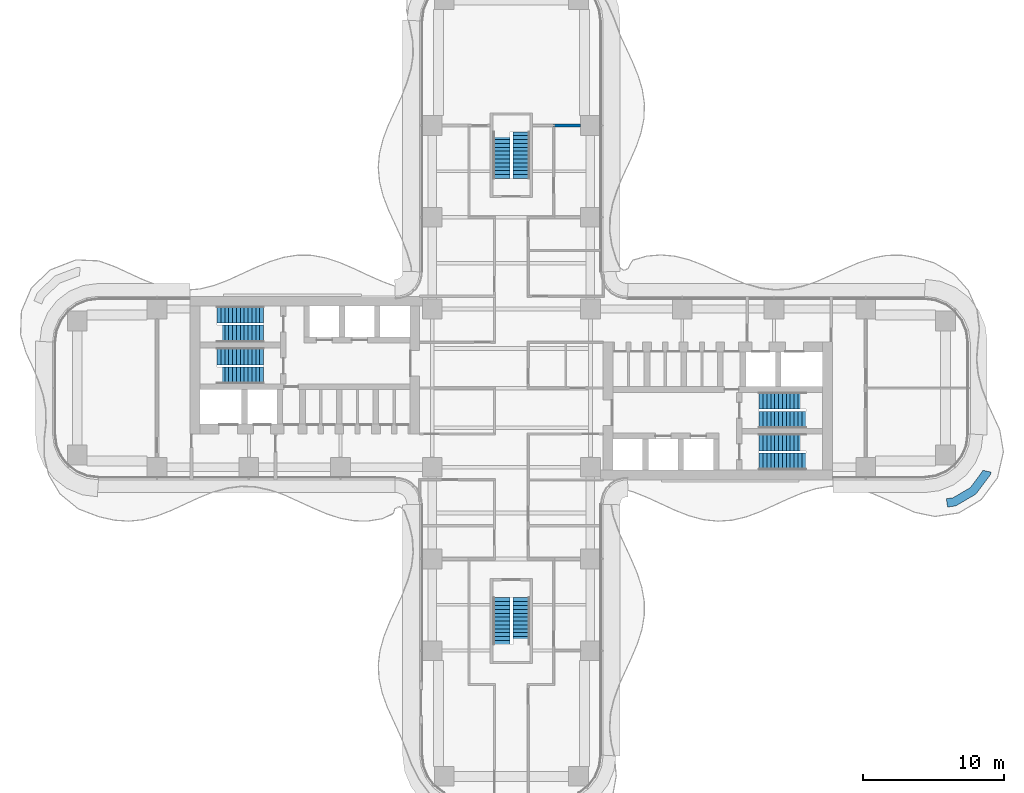
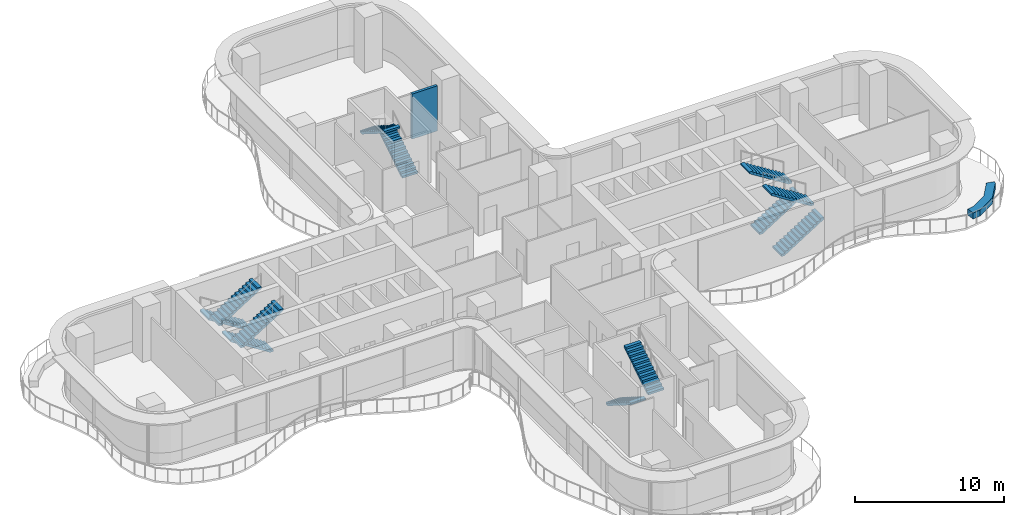
# One storey, part 20 of 22: 12 stair flights, 2 walls, 6 elements without a shape of their own.
"""IFC4 building model written with IfcOpenShell, lengths in metres."""

from ifc_helpers import new_model, si_unit, direction, frame, frame_2d, origin, place, context, subcontext, project, spatial, polyline, rectangle, outline, extrude, source, transform, mapped, material, layer, layer_set, type_object, element, aggregate, save


model = new_model("IFC4")

# Units and contexts
model_context = context("Model", 3, precision=1e-05, world=origin(), true_north=direction((0.0, 1.0)))
body_context = subcontext(model_context, "Body", "Model", "MODEL_VIEW")
ifc_project = project(units=[si_unit("LENGTHUNIT", "METRE"), si_unit("AREAUNIT", "SQUARE_METRE"), si_unit("VOLUMEUNIT", "CUBIC_METRE"), si_unit("PLANEANGLEUNIT", "RADIAN"), si_unit("MASSUNIT", "GRAM", prefix="KILO")], contexts=[model_context])

# Site, building, storey
site_placement = place(None, origin())
site = spatial("IfcSite", under=ifc_project, at=site_placement, CompositionType="ELEMENT")
building_placement = place(site_placement, origin())
building = spatial("IfcBuilding", under=site, at=building_placement, Name="Trellis Farm Tower", CompositionType="ELEMENT")
storey_placement = place(building_placement, frame((0.0, 0.0, 56.5)))
storey = spatial("IfcBuildingStorey", under=building, at=storey_placement, Name="L11", CompositionType="ELEMENT", Elevation=56.5)

# Walls
ifc_material_1 = material(Name="Sandstone faced masonry planter", Category="masonry")
ifc_layer_1 = layer(ifc_material_1, 0.60009765625)
ifc_layer_set_1 = layer_set([ifc_layer_1], Name="PLANTER BED 600")
wall_type_1 = type_object("IfcWallType", Name="PLANTER BED 600", PredefinedType="USERDEFINED", material=ifc_layer_set_1)
placement = place(storey_placement, origin())
element("IfcWall", 1, at=placement, inside=storey, type_object=wall_type_1, Name="PLANTER bed", ObjectType="PLANTER", PredefinedType="USERDEFINED", context=body_context, shape_type="SweptSolid", body=[
    extrude(outline(polyline([(32.906982421875, -7.50830078125), (31.47607421875, -8.34765625), (30.889892578125, -8.42919921875), (30.80712890625, -7.8349609375), (31.275390625, -7.769775390625), (32.4990234375, -7.05224609375), (33.37646484375, -5.87841796875), (33.390380859375, -5.8193359375), (33.974609375, -5.9560546875), (33.93212890625, -6.13720703125), (32.906982421875, -7.50830078125)])), origin(), (0.0, 0.0, 1.0), 0.5),
])
ifc_material_2 = material(Name="Lightweight blockwork, plastered", Category="masonry")
ifc_layer_2 = layer(ifc_material_2, 0.199951171875)
ifc_layer_set_2 = layer_set([ifc_layer_2], Name="BLOCK WALL 200 EI 120")
wall_type_2 = type_object("IfcWallType", Name="BLOCK WALL 200 EI 120", PredefinedType="PARTITIONING", material=ifc_layer_set_2)
shared_shape_1 = source(origin(), body_context, "Body", "SweptSolid", [
    extrude(rectangle(XDim=1.96240234375, YDim=0.199951171875, at=frame_2d((0.981201171875, 0.0))), origin(), (0.0, 0.0, 1.0), 3.69677734375),
])
wall_2_placement = place(storey_placement, frame((2.9375, 18.60009765625, 0.0), z_axis=(0.0, 0.0, 1.0), x_axis=(1.0, 0.0, 0.0)))
element("IfcWall", 2, at=wall_2_placement, inside=storey, type_object=wall_type_2, Name="Partition PW3", PredefinedType="PARTITIONING", context=body_context, shape_type="MappedRepresentation", body=[
    mapped(shared_shape_1, transform((0.0, 0.0, 0.0))),
])

# Stair, stair flights
ifc_material_3 = material(Name="Concrete C50/60", Category="concrete")
stair_type = type_object("IfcStairType", Name="CORE EXIT STAIR 26 RISERS 173 MM", PredefinedType="HALF_TURN_STAIR", material=ifc_material_3)
stair_1 = element("IfcStair", 3, at=placement, inside=storey, type_object=stair_type, Name="Exit stair N", PredefinedType="HALF_TURN_STAIR")
stair_flight_type = type_object("IfcStairFlightType", Name="STAIR FLIGHT 13 RISERS 173 MM", PredefinedType="STRAIGHT", material=ifc_material_3)
shared_shape_2 = source(origin(), body_context, "Body", "SweptSolid", [
    extrude(outline(polyline([(0.0, 0.0), (0.0, 0.173095703125), (0.27490234375, 0.173095703125), (0.27490234375, 0.34619140625), (0.550048828125, 0.34619140625), (0.550048828125, 0.519287109375), (0.824951171875, 0.519287109375), (0.824951171875, 0.6923828125), (1.10009765625, 0.6923828125), (1.10009765625, 0.865478515625), (1.375, 0.865478515625), (1.375, 1.03857421875), (1.64990234375, 1.03857421875), (1.64990234375, 1.21142578125), (1.925048828125, 1.21142578125), (1.925048828125, 1.384521484375), (2.199951171875, 1.384521484375), (2.199951171875, 1.5576171875), (2.47509765625, 1.5576171875), (2.47509765625, 1.730712890625), (2.75, 1.730712890625), (2.75, 1.90380859375), (3.02490234375, 1.90380859375), (3.02490234375, 2.076904296875), (3.300048828125, 2.076904296875), (3.300048828125, 2.25), (3.300048828125, 1.92333984375), (0.243896484375, 0.0), (0.0, 0.0)])), frame((0.0, 0.60009765625, 0.0), z_axis=(0.0, -1.0, 0.0), x_axis=(1.0, 0.0, 0.0)), (0.0, 0.0, 1.0), 1.199951171875),
])
stair_flight_1_placement = place(storey_placement, frame((0.699951171875, 14.85009765625, 0.0), z_axis=(0.0, 0.0, 1.0), x_axis=(0.0, 1.0, 0.0)))
stair_flight_1 = element("IfcStairFlight", 4, at=stair_flight_1_placement, type_object=stair_flight_type, Name="STN flight 1", NumberOfRisers=13, NumberOfTreads=12, PredefinedType="STRAIGHT", RiserHeight=0.173076923, TreadLength=0.275, context=body_context, shape_type="MappedRepresentation", body=[
    mapped(shared_shape_2, transform((0.0, 0.0, 0.0))),
])
stair_flight_2_placement = place(storey_placement, frame((-0.699951171875, 18.14990234375, 2.25), z_axis=(0.0, 0.0, 1.0), x_axis=(0.0, -1.0, 0.0)))
stair_flight_2 = element("IfcStairFlight", 5, at=stair_flight_2_placement, type_object=stair_flight_type, Name="STN flight 2", NumberOfRisers=13, NumberOfTreads=12, PredefinedType="STRAIGHT", RiserHeight=0.173076923, TreadLength=0.275, context=body_context, shape_type="MappedRepresentation", body=[
    mapped(shared_shape_2, transform((0.0, 0.0, 0.0))),
])
aggregate(stair_1, [stair_flight_1, stair_flight_2])

stair_2 = element("IfcStair", 6, at=placement, inside=storey, type_object=stair_type, Name="Exit stair S", PredefinedType="HALF_TURN_STAIR")
stair_flight_3_placement = place(storey_placement, frame((-0.699951171875, -14.85009765625, 0.0), z_axis=(0.0, 0.0, 1.0), x_axis=(0.0, -1.0, 0.0)))
stair_flight_3 = element("IfcStairFlight", 7, at=stair_flight_3_placement, type_object=stair_flight_type, Name="STS flight 1", NumberOfRisers=13, NumberOfTreads=12, PredefinedType="STRAIGHT", RiserHeight=0.173076923, TreadLength=0.275, context=body_context, shape_type="MappedRepresentation", body=[
    mapped(shared_shape_2, transform((0.0, 0.0, 0.0))),
])
stair_flight_4_placement = place(storey_placement, frame((0.699951171875, -18.14990234375, 2.25), z_axis=(0.0, 0.0, 1.0), x_axis=(0.0, 1.0, 0.0)))
stair_flight_4 = element("IfcStairFlight", 8, at=stair_flight_4_placement, type_object=stair_flight_type, Name="STS flight 2", NumberOfRisers=13, NumberOfTreads=12, PredefinedType="STRAIGHT", RiserHeight=0.173076923, TreadLength=0.275, context=body_context, shape_type="MappedRepresentation", body=[
    mapped(shared_shape_2, transform((0.0, 0.0, 0.0))),
])
aggregate(stair_2, [stair_flight_3, stair_flight_4])

stair_3 = element("IfcStair", 9, at=placement, inside=storey, type_object=stair_type, Name="Exit stair E1", PredefinedType="HALF_TURN_STAIR")
stair_flight_5_placement = place(storey_placement, frame((17.550048828125, -5.199951171875, 0.0), z_axis=(0.0, 0.0, 1.0), x_axis=(1.0, 0.0, 0.0)))
stair_flight_5 = element("IfcStairFlight", 10, at=stair_flight_5_placement, type_object=stair_flight_type, Name="STE1 flight 1", NumberOfRisers=13, NumberOfTreads=12, PredefinedType="STRAIGHT", RiserHeight=0.173076923, TreadLength=0.275, context=body_context, shape_type="MappedRepresentation", body=[
    mapped(shared_shape_2, transform((0.0, 0.0, 0.0))),
])
stair_flight_6_placement = place(storey_placement, frame((20.85009765625, -3.85009765625, 2.25), z_axis=(0.0, 0.0, 1.0), x_axis=(-1.0, 0.0, 0.0)))
stair_flight_6 = element("IfcStairFlight", 11, at=stair_flight_6_placement, type_object=stair_flight_type, Name="STE1 flight 2", NumberOfRisers=13, NumberOfTreads=12, PredefinedType="STRAIGHT", RiserHeight=0.173076923, TreadLength=0.275, context=body_context, shape_type="MappedRepresentation", body=[
    mapped(shared_shape_2, transform((0.0, 0.0, 0.0))),
])
aggregate(stair_3, [stair_flight_5, stair_flight_6])

stair_4 = element("IfcStair", 12, at=placement, inside=storey, type_object=stair_type, Name="Exit stair E2", PredefinedType="HALF_TURN_STAIR")
stair_flight_7_placement = place(storey_placement, frame((17.550048828125, -2.25, 0.0), z_axis=(0.0, 0.0, 1.0), x_axis=(1.0, 0.0, 0.0)))
stair_flight_7 = element("IfcStairFlight", 13, at=stair_flight_7_placement, type_object=stair_flight_type, Name="STE2 flight 1", NumberOfRisers=13, NumberOfTreads=12, PredefinedType="STRAIGHT", RiserHeight=0.173076923, TreadLength=0.275, context=body_context, shape_type="MappedRepresentation", body=[
    mapped(shared_shape_2, transform((0.0, 0.0, 0.0))),
])
stair_flight_8_placement = place(storey_placement, frame((20.85009765625, -0.89990234375, 2.25), z_axis=(0.0, 0.0, 1.0), x_axis=(-1.0, 0.0, 0.0)))
stair_flight_8 = element("IfcStairFlight", 14, at=stair_flight_8_placement, type_object=stair_flight_type, Name="STE2 flight 2", NumberOfRisers=13, NumberOfTreads=12, PredefinedType="STRAIGHT", RiserHeight=0.173076923, TreadLength=0.275, context=body_context, shape_type="MappedRepresentation", body=[
    mapped(shared_shape_2, transform((0.0, 0.0, 0.0))),
])
aggregate(stair_4, [stair_flight_7, stair_flight_8])

stair_5 = element("IfcStair", 15, at=placement, inside=storey, type_object=stair_type, Name="Exit stair W1", PredefinedType="HALF_TURN_STAIR")
stair_flight_9_placement = place(storey_placement, frame((-17.550048828125, 5.199951171875, 0.0), z_axis=(0.0, 0.0, 1.0), x_axis=(-1.0, 0.0, 0.0)))
stair_flight_9 = element("IfcStairFlight", 16, at=stair_flight_9_placement, type_object=stair_flight_type, Name="STW1 flight 1", NumberOfRisers=13, NumberOfTreads=12, PredefinedType="STRAIGHT", RiserHeight=0.173076923, TreadLength=0.275, context=body_context, shape_type="MappedRepresentation", body=[
    mapped(shared_shape_2, transform((0.0, 0.0, 0.0))),
])
stair_flight_10_placement = place(storey_placement, frame((-20.85009765625, 3.85009765625, 2.25), z_axis=(0.0, 0.0, 1.0), x_axis=(1.0, 0.0, 0.0)))
stair_flight_10 = element("IfcStairFlight", 17, at=stair_flight_10_placement, type_object=stair_flight_type, Name="STW1 flight 2", NumberOfRisers=13, NumberOfTreads=12, PredefinedType="STRAIGHT", RiserHeight=0.173076923, TreadLength=0.275, context=body_context, shape_type="MappedRepresentation", body=[
    mapped(shared_shape_2, transform((0.0, 0.0, 0.0))),
])
aggregate(stair_5, [stair_flight_9, stair_flight_10])

stair_6 = element("IfcStair", 18, at=placement, inside=storey, type_object=stair_type, Name="Exit stair W2", PredefinedType="HALF_TURN_STAIR")
stair_flight_11_placement = place(storey_placement, frame((-17.550048828125, 2.25, 0.0), z_axis=(0.0, 0.0, 1.0), x_axis=(-1.0, 0.0, 0.0)))
stair_flight_11 = element("IfcStairFlight", 19, at=stair_flight_11_placement, type_object=stair_flight_type, Name="STW2 flight 1", NumberOfRisers=13, NumberOfTreads=12, PredefinedType="STRAIGHT", RiserHeight=0.173076923, TreadLength=0.275, context=body_context, shape_type="MappedRepresentation", body=[
    mapped(shared_shape_2, transform((0.0, 0.0, 0.0))),
])
stair_flight_12_placement = place(storey_placement, frame((-20.85009765625, 0.89990234375, 2.25), z_axis=(0.0, 0.0, 1.0), x_axis=(1.0, 0.0, 0.0)))
stair_flight_12 = element("IfcStairFlight", 20, at=stair_flight_12_placement, type_object=stair_flight_type, Name="STW2 flight 2", NumberOfRisers=13, NumberOfTreads=12, PredefinedType="STRAIGHT", RiserHeight=0.173076923, TreadLength=0.275, context=body_context, shape_type="MappedRepresentation", body=[
    mapped(shared_shape_2, transform((0.0, 0.0, 0.0))),
])
aggregate(stair_6, [stair_flight_11, stair_flight_12])

save(model, "model.ifc")
